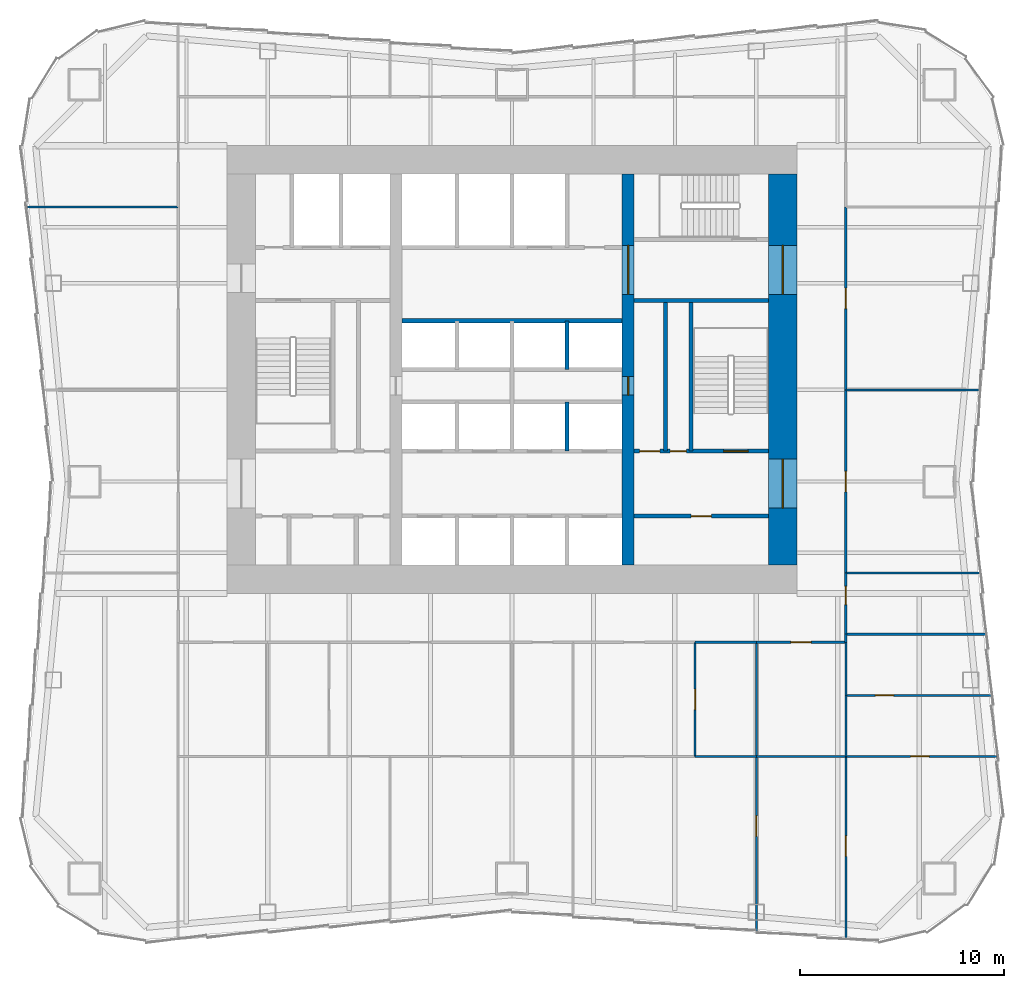
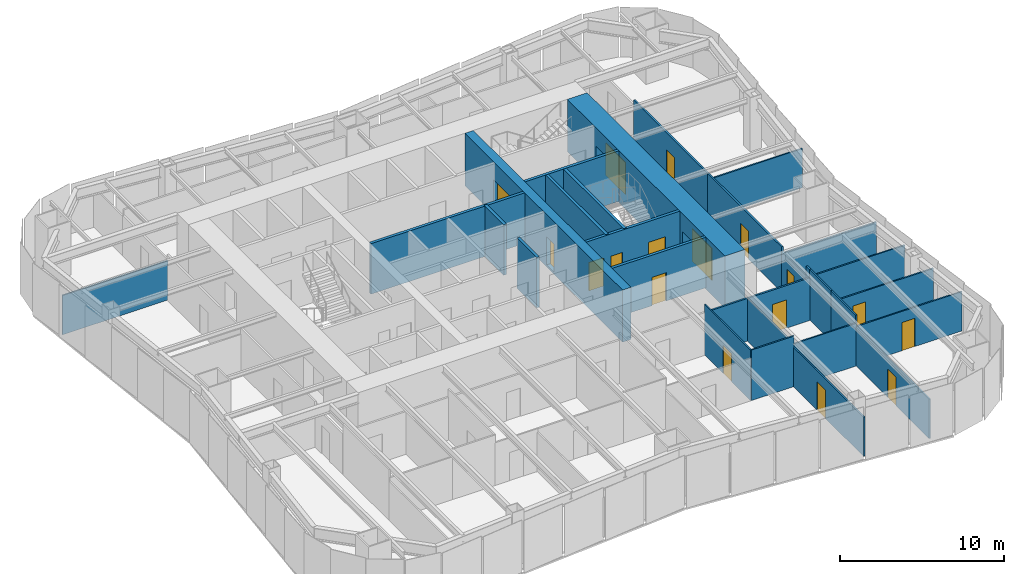
# One storey, part 5 of 7: 30 walls, 17 doors, 17 openings.
"""IFC4 building model written with IfcOpenShell, lengths in metres."""

from ifc_helpers import new_model, si_unit, direction, frame, frame_2d, origin, place, context, subcontext, project, spatial, rectangle, extrude, material, layer, layer_set, type_object, element, fill, save


model = new_model("IFC4")

# Units and contexts
model_context = context("Model", 3, precision=1e-05, world=origin(), true_north=direction((0.0, 1.0)))
body_context = subcontext(model_context, "Body", "Model", "MODEL_VIEW")
ifc_project = project(units=[si_unit("LENGTHUNIT", "METRE"), si_unit("AREAUNIT", "SQUARE_METRE"), si_unit("VOLUMEUNIT", "CUBIC_METRE"), si_unit("PLANEANGLEUNIT", "RADIAN"), si_unit("MASSUNIT", "GRAM", prefix="KILO")], contexts=[model_context])

# Site, building, storey
site_placement = place(None, origin())
site = spatial("IfcSite", under=ifc_project, at=site_placement, CompositionType="ELEMENT")
building_placement = place(site_placement, origin())
building = spatial("IfcBuilding", under=site, at=building_placement, Name="Verdant Reach Tower", CompositionType="ELEMENT")
storey_placement = place(building_placement, frame((0.0, 0.0, 54.0)))
storey = spatial("IfcBuildingStorey", under=building, at=storey_placement, Name="L12", CompositionType="ELEMENT", Elevation=54.0)

# Wall, opening, door
ifc_material_1 = material(Name="Gypsum board on steel studs", Category="steel")
ifc_layer_1 = layer(ifc_material_1, 0.199951171875)
ifc_layer_set_1 = layer_set([ifc_layer_1], Name="CO-WALL-ROOM")
wall_type_1 = type_object("IfcWallType", Name="CO-WALL-ROOM", PredefinedType="PARTITIONING", material=ifc_layer_set_1)
wall_1_placement = place(storey_placement, frame((6.0, 20.800048828125, 0.0), z_axis=(0.0, 0.0, 1.0), x_axis=(1.0, 0.0, 0.0)))
wall_1 = element("IfcWall", 1, at=wall_1_placement, inside=storey, type_object=wall_type_1, Name="Core partition, L12", PredefinedType="PARTITIONING", context=body_context, shape_type="SweptSolid", body=[
    extrude(rectangle(XDim=6.60009765625, YDim=0.199951171875, at=frame_2d((3.300048828125, 0.0))), origin(), (0.0, 0.0, 1.0), 3.75),
])
opening_1_placement = place(wall_1_placement, frame((2.800048828125, 0.0, 0.0)))
opening_1 = element("IfcOpeningElement", 2, at=opening_1_placement, cuts=wall_1, Name="Opening CD", PredefinedType="OPENING", context=body_context, shape_type="SweptSolid", body=[
    extrude(rectangle(XDim=1.0, YDim=2.10009765625, at=frame_2d((0.5, 1.050048828125))), frame((0.0, 0.10986328125, 0.0), z_axis=(0.0, -1.0, 0.0), x_axis=(1.0, 0.0, 0.0)), (0.0, 0.0, 1.0), 0.219970703125),
])
ifc_material_2 = material(Name="Timber", Category="wood")
door_type_1 = type_object("IfcDoorType", Name="CO-DOOR-ROOM", OperationType="NOTDEFINED", PredefinedType="DOOR", material=ifc_material_2)
door_1_placement = place(opening_1_placement, origin())
door_1 = element("IfcDoor", 3, at=door_1_placement, inside=storey, type_object=door_type_1, Name="Core room door, L12", OperationType="SINGLE_SWING_RIGHT", OverallHeight=2.10009765625, OverallWidth=1.0, PredefinedType="DOOR", context=body_context, shape_type="SweptSolid", body=[
    extrude(rectangle(XDim=1.0, YDim=2.10009765625, at=frame_2d((0.5, 1.050048828125))), frame((0.0, 0.02490234375, 0.0), z_axis=(0.0, -1.0, 0.0), x_axis=(1.0, 0.0, 0.0)), (0.0, 0.0, 1.0), 0.050048828125),
])
fill(opening_1, door_1)

# Walls
wall_2_placement = place(storey_placement, frame((7.5400390625, 24.0, 0.0), z_axis=(0.0, 0.0, 1.0), x_axis=(0.0, 1.0, 0.0)))
element("IfcWall", 4, at=wall_2_placement, inside=storey, type_object=wall_type_1, Name="Core partition, L12", PredefinedType="PARTITIONING", context=body_context, shape_type="SweptSolid", body=[
    extrude(rectangle(XDim=7.39990234375, YDim=0.199951171875, at=frame_2d((3.699951171875, 0.0))), origin(), (0.0, 0.0, 1.0), 3.75),
])
ifc_material_3 = material(Name="Concrete C40/50", Category="concrete")
ifc_layer_2 = layer(ifc_material_3, 0.199951171875)
ifc_layer_set_2 = layer_set([ifc_layer_2], Name="CO-WALL-SHAFT")
wall_type_2 = type_object("IfcWallType", Name="CO-WALL-SHAFT", PredefinedType="PARTITIONING", material=ifc_layer_set_2)
wall_3_placement = place(storey_placement, frame((-5.39990234375, 30.39990234375, 0.0), z_axis=(0.0, 0.0, 1.0), x_axis=(1.0, 0.0, 0.0)))
element("IfcWall", 5, at=wall_3_placement, inside=storey, type_object=wall_type_2, Name="Lift shaft wall, L12", PredefinedType="PARTITIONING", context=body_context, shape_type="SweptSolid", body=[
    extrude(rectangle(XDim=10.7998046875, YDim=0.199951171875, at=frame_2d((5.39990234375, 0.0))), origin(), (0.0, 0.0, 1.0), 3.75),
])
for number, where, z_axis, x_axis, name in (
    (6, (2.699951171875, 24.0, 0.0), (0.0, 0.0, 1.0), (0.0, 1.0, 0.0), "Lift shaft wall, L12"),
    (7, (2.699951171875, 28.0, 0.0), (0.0, 0.0, 1.0), (0.0, 1.0, 0.0), "Lift shaft wall, L12"),
):
    element("IfcWall", number, at=place(storey_placement, frame(where, z_axis=z_axis, x_axis=x_axis)), inside=storey, type_object=wall_type_2, Name=name, PredefinedType="PARTITIONING", context=body_context, shape_type="SweptSolid", body=[
        extrude(rectangle(XDim=2.39990234375, YDim=0.199951171875, at=frame_2d((1.199951171875, 0.0))), origin(), (0.0, 0.0, 1.0), 3.75),
    ])

# Wall, openings, doors
ifc_layer_3 = layer(ifc_material_3, 0.199951171875)
ifc_layer_set_3 = layer_set([ifc_layer_3], Name="CO-WALL-STAIR")
wall_type_3 = type_object("IfcWallType", Name="CO-WALL-STAIR", PredefinedType="PARTITIONING", material=ifc_layer_set_3)
wall_4_placement = place(storey_placement, frame((6.0, 24.0, 0.0), z_axis=(0.0, 0.0, 1.0), x_axis=(1.0, 0.0, 0.0)))
wall_4 = element("IfcWall", 8, at=wall_4_placement, inside=storey, type_object=wall_type_3, Name="Stair enclosure wall, L12", PredefinedType="PARTITIONING", context=body_context, shape_type="SweptSolid", body=[
    extrude(rectangle(XDim=6.60009765625, YDim=0.199951171875, at=frame_2d((3.300048828125, 0.0))), origin(), (0.0, 0.0, 1.0), 3.75),
])
opening_2_placement = place(wall_4_placement, frame((0.27001953125, 0.0, 0.0)))
opening_2 = element("IfcOpeningElement", 9, at=opening_2_placement, cuts=wall_4, Name="Opening CD", PredefinedType="OPENING", context=body_context, shape_type="SweptSolid", body=[
    extrude(rectangle(XDim=1.0, YDim=2.10009765625, at=frame_2d((0.5, 1.050048828125))), frame((0.0, 0.10986328125, 0.0), z_axis=(0.0, -1.0, 0.0), x_axis=(1.0, 0.0, 0.0)), (0.0, 0.0, 1.0), 0.219970703125),
])
opening_3_placement = place(wall_4_placement, frame((1.77001953125, 0.0, 0.0)))
opening_3 = element("IfcOpeningElement", 10, at=opening_3_placement, cuts=wall_4, Name="Opening CDN", PredefinedType="OPENING", context=body_context, shape_type="SweptSolid", body=[
    extrude(rectangle(XDim=0.800048828125, YDim=2.10009765625, at=frame_2d((0.39990234375, 1.050048828125))), frame((0.0, 0.10986328125, 0.0), z_axis=(0.0, -1.0, 0.0), x_axis=(1.0, 0.0, 0.0)), (0.0, 0.0, 1.0), 0.219970703125),
])
opening_4_placement = place(wall_4_placement, frame((4.39990234375, 0.0, 0.0)))
opening_4 = element("IfcOpeningElement", 11, at=opening_4_placement, cuts=wall_4, Name="Opening SD", PredefinedType="OPENING", context=body_context, shape_type="SweptSolid", body=[
    extrude(rectangle(XDim=1.199951171875, YDim=2.199951171875, at=frame_2d((0.60009765625, 1.10009765625))), frame((0.0, 0.10986328125, 0.0), z_axis=(0.0, -1.0, 0.0), x_axis=(1.0, 0.0, 0.0)), (0.0, 0.0, 1.0), 0.219970703125),
])
door_2_placement = place(opening_2_placement, origin())
door_2 = element("IfcDoor", 12, at=door_2_placement, inside=storey, type_object=door_type_1, Name="Core room door, L12", OperationType="SINGLE_SWING_RIGHT", OverallHeight=2.10009765625, OverallWidth=1.0, PredefinedType="DOOR", context=body_context, shape_type="SweptSolid", body=[
    extrude(rectangle(XDim=1.0, YDim=2.10009765625, at=frame_2d((0.5, 1.050048828125))), frame((0.0, 0.02490234375, 0.0), z_axis=(0.0, -1.0, 0.0), x_axis=(1.0, 0.0, 0.0)), (0.0, 0.0, 1.0), 0.050048828125),
])
fill(opening_2, door_2)
door_type_2 = type_object("IfcDoorType", Name="CO-DOOR-ROOM-NARROW", OperationType="NOTDEFINED", PredefinedType="DOOR", material=ifc_material_2)
door_3_placement = place(opening_3_placement, origin())
door_3 = element("IfcDoor", 13, at=door_3_placement, inside=storey, type_object=door_type_2, Name="Core room door, L12", OperationType="SINGLE_SWING_LEFT", OverallHeight=2.10009765625, OverallWidth=0.800048828125, PredefinedType="DOOR", context=body_context, shape_type="SweptSolid", body=[
    extrude(rectangle(XDim=0.800048828125, YDim=2.10009765625, at=frame_2d((0.39990234375, 1.050048828125))), frame((0.0, 0.02490234375, 0.0), z_axis=(0.0, -1.0, 0.0), x_axis=(1.0, 0.0, 0.0)), (0.0, 0.0, 1.0), 0.050048828125),
])
fill(opening_3, door_3)
ifc_material_4 = material(Name="Steel", Category="steel")
door_type_3 = type_object("IfcDoorType", Name="CO-DOOR-STAIR", OperationType="NOTDEFINED", PredefinedType="DOOR", material=ifc_material_4)
door_4_placement = place(opening_4_placement, origin())
door_4 = element("IfcDoor", 14, at=door_4_placement, inside=storey, type_object=door_type_3, Name="Stair door, L12", OperationType="SINGLE_SWING_RIGHT", OverallHeight=2.199951171875, OverallWidth=1.199951171875, PredefinedType="DOOR", context=body_context, shape_type="SweptSolid", body=[
    extrude(rectangle(XDim=1.199951171875, YDim=2.199951171875, at=frame_2d((0.60009765625, 1.10009765625))), frame((0.0, 0.02490234375, 0.0), z_axis=(0.0, -1.0, 0.0), x_axis=(1.0, 0.0, 0.0)), (0.0, 0.0, 1.0), 0.050048828125),
])
fill(opening_4, door_4)

# Walls
wall_5_placement = place(storey_placement, frame((6.0, 31.39990234375, 0.0), z_axis=(0.0, 0.0, 1.0), x_axis=(1.0, 0.0, 0.0)))
element("IfcWall", 15, at=wall_5_placement, inside=storey, type_object=wall_type_3, Name="Stair enclosure wall, L12", PredefinedType="PARTITIONING", context=body_context, shape_type="SweptSolid", body=[
    extrude(rectangle(XDim=6.60009765625, YDim=0.199951171875, at=frame_2d((3.300048828125, 0.0))), origin(), (0.0, 0.0, 1.0), 3.75),
])
wall_6_placement = place(storey_placement, frame((8.800048828125, 24.0, 0.0), z_axis=(0.0, 0.0, 1.0), x_axis=(0.0, 1.0, 0.0)))
element("IfcWall", 16, at=wall_6_placement, inside=storey, type_object=wall_type_3, Name="Stair enclosure wall, L12", PredefinedType="PARTITIONING", context=body_context, shape_type="SweptSolid", body=[
    extrude(rectangle(XDim=7.39990234375, YDim=0.199951171875, at=frame_2d((3.699951171875, 0.0))), origin(), (0.0, 0.0, 1.0), 3.75),
])

# Wall, opening, door
ifc_layer_4 = layer(ifc_material_1, 0.10009765625)
ifc_layer_set_4 = layer_set([ifc_layer_4], Name="FL-W1 Partition 100")
wall_type_4 = type_object("IfcWallType", Name="FL-W1 Partition 100", PredefinedType="PARTITIONING", material=ifc_layer_set_4)
wall_7_placement = place(storey_placement, frame((9.0, 14.60009765625, 0.0), z_axis=(0.0, 0.0, 1.0), x_axis=(0.0, -1.0, 0.0)))
wall_7 = element("IfcWall", 17, at=wall_7_placement, inside=storey, type_object=wall_type_4, Name="Partition 12.33", PredefinedType="PARTITIONING", context=body_context, shape_type="SweptSolid", body=[
    extrude(rectangle(XDim=5.60009765625, YDim=0.10009765625, at=frame_2d((2.800048828125, 0.0))), origin(), (0.0, 0.0, 1.0), 3.75),
])
opening_5_placement = place(wall_7_placement, frame((2.300048828125, 0.0, 0.0)))
opening_5 = element("IfcOpeningElement", 18, at=opening_5_placement, cuts=wall_7, Name="Opening D3", PredefinedType="OPENING", context=body_context, shape_type="SweptSolid", body=[
    extrude(rectangle(XDim=1.0, YDim=2.10009765625, at=frame_2d((0.5, 1.050048828125))), frame((0.0, 0.06005859375, 0.0), z_axis=(0.0, -1.0, 0.0), x_axis=(1.0, 0.0, 0.0)), (0.0, 0.0, 1.0), 0.1201171875),
])
ifc_material_5 = material(Name="Painted timber door leaf", Category="wood")
door_type_4 = type_object("IfcDoorType", Name="FL-D3 Door 1000x2100", OperationType="NOTDEFINED", PredefinedType="DOOR", material=ifc_material_5)
door_5_placement = place(opening_5_placement, origin())
door_5 = element("IfcDoor", 19, at=door_5_placement, inside=storey, type_object=door_type_4, Name="Door 12-020", OperationType="SINGLE_SWING_RIGHT", OverallHeight=2.10009765625, OverallWidth=1.0, PredefinedType="DOOR", context=body_context, shape_type="SweptSolid", body=[
    extrude(rectangle(XDim=1.0, YDim=2.10009765625, at=frame_2d((0.5, 1.050048828125))), frame((0.0, 0.02490234375, 0.0), z_axis=(0.0, -1.0, 0.0), x_axis=(1.0, 0.0, 0.0)), (0.0, 0.0, 1.0), 0.050048828125),
])
fill(opening_5, door_5)

# Walls
wall_8_placement = place(storey_placement, frame((12.0, 9.0, 0.0), z_axis=(0.0, 0.0, 1.0), x_axis=(0.0, 1.0, 0.0)))
element("IfcWall", 20, at=wall_8_placement, inside=storey, type_object=wall_type_4, Name="Partition 12.35", PredefinedType="PARTITIONING", context=body_context, shape_type="SweptSolid", body=[
    extrude(rectangle(XDim=5.60009765625, YDim=0.10009765625, at=frame_2d((2.800048828125, 0.0))), origin(), (0.0, 0.0, 1.0), 3.169921875),
])
wall_9_placement = place(storey_placement, frame((8.99609375, 9.0, 0.0), z_axis=(0.0, 0.0, 1.0), x_axis=(1.0, 0.0, 0.0)))
element("IfcWall", 21, at=wall_9_placement, inside=storey, type_object=wall_type_4, Name="Partition 12.36", PredefinedType="PARTITIONING", context=body_context, shape_type="SweptSolid", body=[
    extrude(rectangle(XDim=3.00390625, YDim=0.10009765625, at=frame_2d((1.501953125, 0.0))), origin(), (0.0, 0.0, 1.0), 3.75),
])
wall_10_placement = place(storey_placement, frame((12.0, 9.0, 0.0), z_axis=(0.0, 0.0, 1.0), x_axis=(1.0, 0.0, 0.0)))
element("IfcWall", 22, at=wall_10_placement, inside=storey, type_object=wall_type_4, Name="Partition 12.37", PredefinedType="PARTITIONING", context=body_context, shape_type="SweptSolid", body=[
    extrude(rectangle(XDim=4.39990234375, YDim=0.10009765625, at=frame_2d((2.199951171875, 0.0))), origin(), (0.0, 0.0, 1.0), 3.169921875),
])
wall_11_placement = place(storey_placement, frame((16.39990234375, 9.0, 0.0), z_axis=(0.0, 0.0, 1.0), x_axis=(0.0, 1.0, 0.0)))
element("IfcWall", 23, at=wall_11_placement, inside=storey, type_object=wall_type_4, Name="Partition 12.38", PredefinedType="PARTITIONING", context=body_context, shape_type="SweptSolid", body=[
    extrude(rectangle(XDim=3.0, YDim=0.10009765625, at=frame_2d((1.5, 0.0))), origin(), (0.0, 0.0, 1.0), 3.75),
])
wall_12_placement = place(storey_placement, frame((16.39990234375, 12.0, 0.0), z_axis=(0.0, 0.0, 1.0), x_axis=(0.0, 1.0, 0.0)))
element("IfcWall", 24, at=wall_12_placement, inside=storey, type_object=wall_type_4, Name="Partition 12.39", PredefinedType="PARTITIONING", context=body_context, shape_type="SweptSolid", body=[
    extrude(rectangle(XDim=2.60400390625, YDim=0.10009765625, at=frame_2d((1.302001953125, 0.0))), origin(), (0.0, 0.0, 1.0), 3.75),
])

# Wall, opening, door
wall_13_placement = place(storey_placement, frame((12.0, 9.0, 0.0), z_axis=(0.0, 0.0, 1.0), x_axis=(0.0, -1.0, 0.0)))
wall_13 = element("IfcWall", 25, at=wall_13_placement, inside=storey, type_object=wall_type_4, Name="Partition 12.40", PredefinedType="PARTITIONING", context=body_context, shape_type="SweptSolid", body=[
    extrude(rectangle(XDim=8.580078125, YDim=0.10009765625, at=frame_2d((4.2900390625, 0.0))), origin(), (0.0, 0.0, 1.0), 2.919921875),
])
opening_6_placement = place(wall_13_placement, frame((2.9248046875, 0.0, 0.0)))
opening_6 = element("IfcOpeningElement", 26, at=opening_6_placement, cuts=wall_13, Name="Opening D3", PredefinedType="OPENING", context=body_context, shape_type="SweptSolid", body=[
    extrude(rectangle(XDim=1.0, YDim=2.10009765625, at=frame_2d((0.5, 1.050048828125))), frame((0.0, 0.06005859375, 0.0), z_axis=(0.0, -1.0, 0.0), x_axis=(1.0, 0.0, 0.0)), (0.0, 0.0, 1.0), 0.1201171875),
])
door_6_placement = place(opening_6_placement, origin())
door_6 = element("IfcDoor", 27, at=door_6_placement, inside=storey, type_object=door_type_4, Name="Door 12-022", OperationType="SINGLE_SWING_LEFT", OverallHeight=2.10009765625, OverallWidth=1.0, PredefinedType="DOOR", context=body_context, shape_type="SweptSolid", body=[
    extrude(rectangle(XDim=1.0, YDim=2.10009765625, at=frame_2d((0.5, 1.050048828125))), frame((0.0, 0.02490234375, 0.0), z_axis=(0.0, -1.0, 0.0), x_axis=(1.0, 0.0, 0.0)), (0.0, 0.0, 1.0), 0.050048828125),
])
fill(opening_6, door_6)

wall_14_placement = place(storey_placement, frame((16.39990234375, 9.0, 0.0), z_axis=(0.0, 0.0, 1.0), x_axis=(0.0, -1.0, 0.0)))
wall_14 = element("IfcWall", 28, at=wall_14_placement, inside=storey, type_object=wall_type_4, Name="Partition 12.41", PredefinedType="PARTITIONING", context=body_context, shape_type="SweptSolid", body=[
    extrude(rectangle(XDim=8.94677734375, YDim=0.10009765625, at=frame_2d((4.473388671875, 0.0))), origin(), (0.0, 0.0, 1.0), 2.919921875),
])
opening_7_placement = place(wall_14_placement, frame((3.908203125, 0.0, 0.0)))
opening_7 = element("IfcOpeningElement", 29, at=opening_7_placement, cuts=wall_14, Name="Opening D3", PredefinedType="OPENING", context=body_context, shape_type="SweptSolid", body=[
    extrude(rectangle(XDim=1.0, YDim=2.10009765625, at=frame_2d((0.5, 1.050048828125))), frame((0.0, 0.06005859375, 0.0), z_axis=(0.0, -1.0, 0.0), x_axis=(1.0, 0.0, 0.0)), (0.0, 0.0, 1.0), 0.1201171875),
])
door_7_placement = place(opening_7_placement, origin())
door_7 = element("IfcDoor", 30, at=door_7_placement, inside=storey, type_object=door_type_4, Name="Door 12-023", OperationType="SINGLE_SWING_LEFT", OverallHeight=2.10009765625, OverallWidth=1.0, PredefinedType="DOOR", context=body_context, shape_type="SweptSolid", body=[
    extrude(rectangle(XDim=1.0, YDim=2.10009765625, at=frame_2d((0.5, 1.050048828125))), frame((0.0, 0.02490234375, 0.0), z_axis=(0.0, -1.0, 0.0), x_axis=(1.0, 0.0, 0.0)), (0.0, 0.0, 1.0), 0.050048828125),
])
fill(opening_7, door_7)

# Wall
wall_15_placement = place(storey_placement, frame((-16.39990234375, 36.0, 0.0), z_axis=(0.0, 0.0, 1.0), x_axis=(-1.0, 0.0, 0.0)))
element("IfcWall", 31, at=wall_15_placement, inside=storey, type_object=wall_type_4, Name="Partition 12.48", PredefinedType="PARTITIONING", context=body_context, shape_type="SweptSolid", body=[
    extrude(rectangle(XDim=7.407470703125, YDim=0.10009765625, at=frame_2d((3.70361328125, 0.0))), origin(), (0.0, 0.0, 1.0), 2.919921875),
])

# Wall, opening, door
wall_16_placement = place(storey_placement, frame((16.39990234375, 9.0, 0.0), z_axis=(0.0, 0.0, 1.0), x_axis=(1.0, 0.0, 0.0)))
wall_16 = element("IfcWall", 32, at=wall_16_placement, inside=storey, type_object=wall_type_4, Name="Partition 12.49", PredefinedType="PARTITIONING", context=body_context, shape_type="SweptSolid", body=[
    extrude(rectangle(XDim=7.407470703125, YDim=0.10009765625, at=frame_2d((3.70361328125, 0.0))), origin(), (0.0, 0.0, 1.0), 2.919921875),
])
opening_8_placement = place(wall_16_placement, frame((3.1884765625, 0.0, 0.0)))
opening_8 = element("IfcOpeningElement", 33, at=opening_8_placement, cuts=wall_16, Name="Opening D1", PredefinedType="OPENING", context=body_context, shape_type="SweptSolid", body=[
    extrude(rectangle(XDim=0.89990234375, YDim=2.10009765625, at=frame_2d((0.449951171875, 1.050048828125))), frame((0.0, 0.06005859375, 0.0), z_axis=(0.0, -1.0, 0.0), x_axis=(1.0, 0.0, 0.0)), (0.0, 0.0, 1.0), 0.1201171875),
])
door_type_5 = type_object("IfcDoorType", Name="FL-D1 Door 900x2100", OperationType="NOTDEFINED", PredefinedType="DOOR", material=ifc_material_5)
door_8_placement = place(opening_8_placement, origin())
door_8 = element("IfcDoor", 34, at=door_8_placement, inside=storey, type_object=door_type_5, Name="Door 12-024", OperationType="SINGLE_SWING_LEFT", OverallHeight=2.10009765625, OverallWidth=0.89990234375, PredefinedType="DOOR", context=body_context, shape_type="SweptSolid", body=[
    extrude(rectangle(XDim=0.89990234375, YDim=2.10009765625, at=frame_2d((0.449951171875, 1.050048828125))), frame((0.0, 0.02490234375, 0.0), z_axis=(0.0, -1.0, 0.0), x_axis=(1.0, 0.0, 0.0)), (0.0, 0.0, 1.0), 0.050048828125),
])
fill(opening_8, door_8)

wall_17_placement = place(storey_placement, frame((16.39990234375, 12.0, 0.0), z_axis=(0.0, 0.0, 1.0), x_axis=(1.0, 0.0, 0.0)))
wall_17 = element("IfcWall", 35, at=wall_17_placement, inside=storey, type_object=wall_type_4, Name="Partition 12.50", PredefinedType="PARTITIONING", context=body_context, shape_type="SweptSolid", body=[
    extrude(rectangle(XDim=7.134521484375, YDim=0.10009765625, at=frame_2d((3.5673828125, 0.0))), origin(), (0.0, 0.0, 1.0), 2.919921875),
])
opening_9_placement = place(wall_17_placement, frame((1.4521484375, 0.0, 0.0)))
opening_9 = element("IfcOpeningElement", 36, at=opening_9_placement, cuts=wall_17, Name="Opening D1", PredefinedType="OPENING", context=body_context, shape_type="SweptSolid", body=[
    extrude(rectangle(XDim=0.89990234375, YDim=2.10009765625, at=frame_2d((0.449951171875, 1.050048828125))), frame((0.0, 0.06005859375, 0.0), z_axis=(0.0, -1.0, 0.0), x_axis=(1.0, 0.0, 0.0)), (0.0, 0.0, 1.0), 0.1201171875),
])
door_9_placement = place(opening_9_placement, origin())
door_9 = element("IfcDoor", 37, at=door_9_placement, inside=storey, type_object=door_type_5, Name="Door 12-025", OperationType="SINGLE_SWING_LEFT", OverallHeight=2.10009765625, OverallWidth=0.89990234375, PredefinedType="DOOR", context=body_context, shape_type="SweptSolid", body=[
    extrude(rectangle(XDim=0.89990234375, YDim=2.10009765625, at=frame_2d((0.449951171875, 1.050048828125))), frame((0.0, 0.02490234375, 0.0), z_axis=(0.0, -1.0, 0.0), x_axis=(1.0, 0.0, 0.0)), (0.0, 0.0, 1.0), 0.050048828125),
])
fill(opening_9, door_9)

# Walls
wall_18_placement = place(storey_placement, frame((23.26171875, 15.0, 0.0), z_axis=(0.0, 0.0, 1.0), x_axis=(-1.0, 0.0, 0.0)))
element("IfcWall", 38, at=wall_18_placement, inside=storey, type_object=wall_type_4, Name="Partition 12.51", PredefinedType="PARTITIONING", context=body_context, shape_type="SweptSolid", body=[
    extrude(rectangle(XDim=6.86181640625, YDim=0.10009765625, at=frame_2d((3.430908203125, 0.0))), origin(), (0.0, 0.0, 1.0), 2.919921875),
])
for number, where, z_axis, x_axis, name in (
    (39, (22.989013671875, 18.0, 0.0), (0.0, 0.0, 1.0), (-1.0, 0.0, 0.0), "Partition 12.52"),
    (40, (22.989013671875, 27.0, 0.0), (0.0, 0.0, 1.0), (-1.0, 0.0, 0.0), "Partition 12.53"),
):
    element("IfcWall", number, at=place(storey_placement, frame(where, z_axis=z_axis, x_axis=x_axis)), inside=storey, type_object=wall_type_4, Name=name, PredefinedType="PARTITIONING", context=body_context, shape_type="SweptSolid", body=[
        extrude(rectangle(XDim=6.589111328125, YDim=0.10009765625, at=frame_2d((3.29443359375, 0.0))), origin(), (0.0, 0.0, 1.0), 2.919921875),
    ])
ifc_material_6 = material(Name="Gypsum board on steel studs, fire rated", Category="steel")
ifc_layer_5 = layer(ifc_material_6, 0.125)
ifc_layer_set_5 = layer_set([ifc_layer_5], Name="FL-W2 Corridor wall 125")
wall_type_5 = type_object("IfcWallType", Name="FL-W2 Corridor wall 125", PredefinedType="PARTITIONING", material=ifc_layer_set_5)
wall_19_placement = place(storey_placement, frame((9.0, 14.60009765625, 0.0), z_axis=(0.0, 0.0, 1.0), x_axis=(1.0, 0.0, 0.0)))
element("IfcWall", 41, at=wall_19_placement, inside=storey, type_object=wall_type_5, Name="Partition 12.06", PredefinedType="PARTITIONING", context=body_context, shape_type="SweptSolid", body=[
    extrude(rectangle(XDim=3.0, YDim=0.125, at=frame_2d((1.5, 0.0))), origin(), (0.0, 0.0, 1.0), 3.169921875),
])

# Wall, opening, door
wall_20_placement = place(storey_placement, frame((16.39990234375, 14.60009765625, 0.0), z_axis=(0.0, 0.0, 1.0), x_axis=(-1.0, 0.0, 0.0)))
wall_20 = element("IfcWall", 42, at=wall_20_placement, inside=storey, type_object=wall_type_5, Name="Partition 12.07", PredefinedType="PARTITIONING", context=body_context, shape_type="SweptSolid", body=[
    extrude(rectangle(XDim=4.39990234375, YDim=0.125, at=frame_2d((2.199951171875, 0.0))), origin(), (0.0, 0.0, 1.0), 3.169921875),
])
opening_10_placement = place(wall_20_placement, frame((1.699951171875, 0.0, 0.0)))
opening_10 = element("IfcOpeningElement", 43, at=opening_10_placement, cuts=wall_20, Name="Opening D2", PredefinedType="OPENING", context=body_context, shape_type="SweptSolid", body=[
    extrude(rectangle(XDim=1.0, YDim=2.10009765625, at=frame_2d((0.5, 1.050048828125))), frame((0.0, 0.072509765625, 0.0), z_axis=(0.0, -1.0, 0.0), x_axis=(1.0, 0.0, 0.0)), (0.0, 0.0, 1.0), 0.14501953125),
])
ifc_material_7 = material(Name="Timber door leaf, fire rated", Category="wood")
door_type_6 = type_object("IfcDoorType", Name="FL-D2 Entrance door 1000x2100 FD30", OperationType="NOTDEFINED", PredefinedType="DOOR", material=ifc_material_7)
door_10_placement = place(opening_10_placement, origin())
door_10 = element("IfcDoor", 44, at=door_10_placement, inside=storey, type_object=door_type_6, Name="Door 12-005", OperationType="SINGLE_SWING_LEFT", OverallHeight=2.10009765625, OverallWidth=1.0, PredefinedType="DOOR", context=body_context, shape_type="SweptSolid", body=[
    extrude(rectangle(XDim=1.0, YDim=2.10009765625, at=frame_2d((0.5, 1.050048828125))), frame((0.0, 0.02490234375, 0.0), z_axis=(0.0, -1.0, 0.0), x_axis=(1.0, 0.0, 0.0)), (0.0, 0.0, 1.0), 0.050048828125),
])
fill(opening_10, door_10)

# Wall
wall_21_placement = place(storey_placement, frame((16.39990234375, 14.595947265625, 0.0), z_axis=(0.0, 0.0, 1.0), x_axis=(0.0, 1.0, 0.0)))
element("IfcWall", 45, at=wall_21_placement, inside=storey, type_object=wall_type_5, Name="Partition 12.15", PredefinedType="PARTITIONING", context=body_context, shape_type="SweptSolid", body=[
    extrude(rectangle(XDim=0.404052734375, YDim=0.125, at=frame_2d((0.2021484375, 0.0))), origin(), (0.0, 0.0, 1.0), 3.75),
])

# Wall, opening, door
wall_22_placement = place(storey_placement, frame((16.39990234375, 18.0, 0.0), z_axis=(0.0, 0.0, 1.0), x_axis=(0.0, -1.0, 0.0)))
wall_22 = element("IfcWall", 46, at=wall_22_placement, inside=storey, type_object=wall_type_5, Name="Partition 12.16", PredefinedType="PARTITIONING", context=body_context, shape_type="SweptSolid", body=[
    extrude(rectangle(XDim=3.0, YDim=0.125, at=frame_2d((1.5, 0.0))), origin(), (0.0, 0.0, 1.0), 3.02001953125),
])
opening_11_placement = place(wall_22_placement, frame((0.64990234375, 0.0, 0.0)))
opening_11 = element("IfcOpeningElement", 47, at=opening_11_placement, cuts=wall_22, Name="Opening D1", PredefinedType="OPENING", context=body_context, shape_type="SweptSolid", body=[
    extrude(rectangle(XDim=0.89990234375, YDim=2.10009765625, at=frame_2d((0.449951171875, 1.050048828125))), frame((0.0, 0.072509765625, 0.0), z_axis=(0.0, -1.0, 0.0), x_axis=(1.0, 0.0, 0.0)), (0.0, 0.0, 1.0), 0.14501953125),
])
door_11_placement = place(opening_11_placement, origin())
door_11 = element("IfcDoor", 48, at=door_11_placement, inside=storey, type_object=door_type_5, Name="Door 12-013", OperationType="SINGLE_SWING_LEFT", OverallHeight=2.10009765625, OverallWidth=0.89990234375, PredefinedType="DOOR", context=body_context, shape_type="SweptSolid", body=[
    extrude(rectangle(XDim=0.89990234375, YDim=2.10009765625, at=frame_2d((0.449951171875, 1.050048828125))), frame((0.0, 0.02490234375, 0.0), z_axis=(0.0, -1.0, 0.0), x_axis=(1.0, 0.0, 0.0)), (0.0, 0.0, 1.0), 0.050048828125),
])
fill(opening_11, door_11)

wall_23_placement = place(storey_placement, frame((16.39990234375, 27.0, 0.0), z_axis=(0.0, 0.0, 1.0), x_axis=(0.0, -1.0, 0.0)))
wall_23 = element("IfcWall", 49, at=wall_23_placement, inside=storey, type_object=wall_type_5, Name="Partition 12.17", PredefinedType="PARTITIONING", context=body_context, shape_type="SweptSolid", body=[
    extrude(rectangle(XDim=9.0, YDim=0.125, at=frame_2d((4.5, 0.0))), origin(), (0.0, 0.0, 1.0), 3.360107421875),
])
opening_12_placement = place(wall_23_placement, frame((4.0, 0.0, 0.0)))
opening_12 = element("IfcOpeningElement", 50, at=opening_12_placement, cuts=wall_23, Name="Opening D2", PredefinedType="OPENING", context=body_context, shape_type="SweptSolid", body=[
    extrude(rectangle(XDim=1.0, YDim=2.10009765625, at=frame_2d((0.5, 1.050048828125))), frame((0.0, 0.072509765625, 0.0), z_axis=(0.0, -1.0, 0.0), x_axis=(1.0, 0.0, 0.0)), (0.0, 0.0, 1.0), 0.14501953125),
])
door_12_placement = place(opening_12_placement, origin())
door_12 = element("IfcDoor", 51, at=door_12_placement, inside=storey, type_object=door_type_6, Name="Door 12-014", OperationType="SINGLE_SWING_RIGHT", OverallHeight=2.10009765625, OverallWidth=1.0, PredefinedType="DOOR", context=body_context, shape_type="SweptSolid", body=[
    extrude(rectangle(XDim=1.0, YDim=2.10009765625, at=frame_2d((0.5, 1.050048828125))), frame((0.0, 0.02490234375, 0.0), z_axis=(0.0, -1.0, 0.0), x_axis=(1.0, 0.0, 0.0)), (0.0, 0.0, 1.0), 0.050048828125),
])
fill(opening_12, door_12)

wall_24_placement = place(storey_placement, frame((16.39990234375, 36.0, 0.0), z_axis=(0.0, 0.0, 1.0), x_axis=(0.0, -1.0, 0.0)))
wall_24 = element("IfcWall", 52, at=wall_24_placement, inside=storey, type_object=wall_type_5, Name="Partition 12.18", PredefinedType="PARTITIONING", context=body_context, shape_type="SweptSolid", body=[
    extrude(rectangle(XDim=9.0, YDim=0.125, at=frame_2d((4.5, 0.0))), origin(), (0.0, 0.0, 1.0), 3.360107421875),
])
opening_13_placement = place(wall_24_placement, frame((4.0, 0.0, 0.0)))
opening_13 = element("IfcOpeningElement", 53, at=opening_13_placement, cuts=wall_24, Name="Opening D2", PredefinedType="OPENING", context=body_context, shape_type="SweptSolid", body=[
    extrude(rectangle(XDim=1.0, YDim=2.10009765625, at=frame_2d((0.5, 1.050048828125))), frame((0.0, 0.072509765625, 0.0), z_axis=(0.0, -1.0, 0.0), x_axis=(1.0, 0.0, 0.0)), (0.0, 0.0, 1.0), 0.14501953125),
])
door_13_placement = place(opening_13_placement, origin())
door_13 = element("IfcDoor", 54, at=door_13_placement, inside=storey, type_object=door_type_6, Name="Door 12-015", OperationType="SINGLE_SWING_LEFT", OverallHeight=2.10009765625, OverallWidth=1.0, PredefinedType="DOOR", context=body_context, shape_type="SweptSolid", body=[
    extrude(rectangle(XDim=1.0, YDim=2.10009765625, at=frame_2d((0.5, 1.050048828125))), frame((0.0, 0.02490234375, 0.0), z_axis=(0.0, -1.0, 0.0), x_axis=(1.0, 0.0, 0.0)), (0.0, 0.0, 1.0), 0.050048828125),
])
fill(opening_13, door_13)

# Wall, openings, doors
ifc_material_8 = material(Name="Concrete C70/85", Category="concrete")
ifc_layer_6 = layer(ifc_material_8, 1.39990234375)
ifc_layer_set_6 = layer_set([ifc_layer_6], Name="ST-CORE-WALL-1400")
wall_type_6 = type_object("IfcWallType", Name="ST-CORE-WALL-1400", PredefinedType="SHEAR", material=ifc_layer_set_6)
wall_25_placement = place(storey_placement, frame((13.300048828125, 18.39990234375, -0.1298828125), z_axis=(0.0, 0.0, 1.0), x_axis=(0.0, 1.0, 0.0)))
wall_25 = element("IfcWall", 55, at=wall_25_placement, inside=storey, type_object=wall_type_6, Name="Core wall E, L12", PredefinedType="SHEAR", context=body_context, shape_type="SweptSolid", body=[
    extrude(rectangle(XDim=19.2001953125, YDim=1.39990234375, at=frame_2d((9.60009765625, 0.0))), origin(), (0.0, 0.0, 1.0), 3.8798828125),
])
opening_14_placement = place(wall_25_placement, frame((2.800048828125, 0.0, 0.1298828125)))
opening_14 = element("IfcOpeningElement", 56, at=opening_14_placement, cuts=wall_25, Name="Opening LB", PredefinedType="OPENING", context=body_context, shape_type="SweptSolid", body=[
    extrude(rectangle(XDim=2.39990234375, YDim=2.39990234375, at=frame_2d((1.199951171875, 1.199951171875))), frame((0.0, 0.7099609375, 0.0), z_axis=(0.0, -1.0, 0.0), x_axis=(1.0, 0.0, 0.0)), (0.0, 0.0, 1.0), 1.419921875),
])
opening_15_placement = place(wall_25_placement, frame((13.300048828125, 0.0, 0.1298828125)))
opening_15 = element("IfcOpeningElement", 57, at=opening_15_placement, cuts=wall_25, Name="Opening LB", PredefinedType="OPENING", context=body_context, shape_type="SweptSolid", body=[
    extrude(rectangle(XDim=2.39990234375, YDim=2.39990234375, at=frame_2d((1.199951171875, 1.199951171875))), frame((0.0, 0.7099609375, 0.0), z_axis=(0.0, -1.0, 0.0), x_axis=(1.0, 0.0, 0.0)), (0.0, 0.0, 1.0), 1.419921875),
])
ifc_material_9 = material(Name="Glass and steel", Category="steel")
door_type_7 = type_object("IfcDoorType", Name="CO-DOOR-LOBBY", OperationType="DOUBLE_DOOR_SINGLE_SWING", PredefinedType="DOOR", material=ifc_material_9)
door_14_placement = place(opening_14_placement, origin())
door_14 = element("IfcDoor", 58, at=door_14_placement, inside=storey, type_object=door_type_7, Name="Core entrance door, L12", OperationType="DOUBLE_DOOR_SINGLE_SWING", OverallHeight=2.39990234375, OverallWidth=2.39990234375, PredefinedType="DOOR", context=body_context, shape_type="SweptSolid", body=[
    extrude(rectangle(XDim=2.39990234375, YDim=2.39990234375, at=frame_2d((1.199951171875, 1.199951171875))), frame((0.0, 0.02490234375, 0.0), z_axis=(0.0, -1.0, 0.0), x_axis=(1.0, 0.0, 0.0)), (0.0, 0.0, 1.0), 0.050048828125),
])
fill(opening_14, door_14)
door_15_placement = place(opening_15_placement, origin())
door_15 = element("IfcDoor", 59, at=door_15_placement, inside=storey, type_object=door_type_7, Name="Core entrance door, L12", OperationType="DOUBLE_DOOR_SINGLE_SWING", OverallHeight=2.39990234375, OverallWidth=2.39990234375, PredefinedType="DOOR", context=body_context, shape_type="SweptSolid", body=[
    extrude(rectangle(XDim=2.39990234375, YDim=2.39990234375, at=frame_2d((1.199951171875, 1.199951171875))), frame((0.0, 0.02490234375, 0.0), z_axis=(0.0, -1.0, 0.0), x_axis=(1.0, 0.0, 0.0)), (0.0, 0.0, 1.0), 0.050048828125),
])
fill(opening_15, door_15)

ifc_layer_7 = layer(ifc_material_8, 0.60009765625)
ifc_layer_set_7 = layer_set([ifc_layer_7], Name="ST-CORE-WALL-600")
wall_type_7 = type_object("IfcWallType", Name="ST-CORE-WALL-600", PredefinedType="SHEAR", material=ifc_layer_set_7)
wall_26_placement = place(storey_placement, frame((5.699951171875, 18.39990234375, -0.1298828125), z_axis=(0.0, 0.0, 1.0), x_axis=(0.0, 1.0, 0.0)))
wall_26 = element("IfcWall", 60, at=wall_26_placement, inside=storey, type_object=wall_type_7, Name="Core wall XE, L12", PredefinedType="SHEAR", context=body_context, shape_type="SweptSolid", body=[
    extrude(rectangle(XDim=19.2001953125, YDim=0.60009765625, at=frame_2d((9.60009765625, 0.0))), origin(), (0.0, 0.0, 1.0), 3.8798828125),
])
opening_16_placement = place(wall_26_placement, frame((8.35009765625, 0.0, 0.1298828125)))
opening_16 = element("IfcOpeningElement", 61, at=opening_16_placement, cuts=wall_26, Name="Opening RD", PredefinedType="OPENING", context=body_context, shape_type="SweptSolid", body=[
    extrude(rectangle(XDim=0.89990234375, YDim=2.10009765625, at=frame_2d((0.449951171875, 1.050048828125))), frame((0.0, 0.31005859375, 0.0), z_axis=(0.0, -1.0, 0.0), x_axis=(1.0, 0.0, 0.0)), (0.0, 0.0, 1.0), 0.6201171875),
])
opening_17_placement = place(wall_26_placement, frame((13.300048828125, 0.0, 0.1298828125)))
opening_17 = element("IfcOpeningElement", 62, at=opening_17_placement, cuts=wall_26, Name="Opening LB", PredefinedType="OPENING", context=body_context, shape_type="SweptSolid", body=[
    extrude(rectangle(XDim=2.39990234375, YDim=2.39990234375, at=frame_2d((1.199951171875, 1.199951171875))), frame((0.0, 0.31005859375, 0.0), z_axis=(0.0, -1.0, 0.0), x_axis=(1.0, 0.0, 0.0)), (0.0, 0.0, 1.0), 0.6201171875),
])
door_16_placement = place(opening_17_placement, origin())
door_16 = element("IfcDoor", 63, at=door_16_placement, inside=storey, type_object=door_type_7, Name="Core entrance door, L12", OperationType="DOUBLE_DOOR_SINGLE_SWING", OverallHeight=2.39990234375, OverallWidth=2.39990234375, PredefinedType="DOOR", context=body_context, shape_type="SweptSolid", body=[
    extrude(rectangle(XDim=2.39990234375, YDim=2.39990234375, at=frame_2d((1.199951171875, 1.199951171875))), frame((0.0, 0.02490234375, 0.0), z_axis=(0.0, -1.0, 0.0), x_axis=(1.0, 0.0, 0.0)), (0.0, 0.0, 1.0), 0.050048828125),
])
fill(opening_17, door_16)
door_type_8 = type_object("IfcDoorType", Name="CO-DOOR-RISER", OperationType="NOTDEFINED", PredefinedType="DOOR", material=ifc_material_4)
door_17_placement = place(opening_16_placement, origin())
door_17 = element("IfcDoor", 64, at=door_17_placement, inside=storey, type_object=door_type_8, Name="Riser door, L12", OperationType="SINGLE_SWING_LEFT", OverallHeight=2.10009765625, OverallWidth=0.89990234375, PredefinedType="DOOR", context=body_context, shape_type="SweptSolid", body=[
    extrude(rectangle(XDim=0.89990234375, YDim=2.10009765625, at=frame_2d((0.449951171875, 1.050048828125))), frame((0.0, 0.02490234375, 0.0), z_axis=(0.0, -1.0, 0.0), x_axis=(1.0, 0.0, 0.0)), (0.0, 0.0, 1.0), 0.050048828125),
])
fill(opening_16, door_17)

save(model, "model.ifc")
